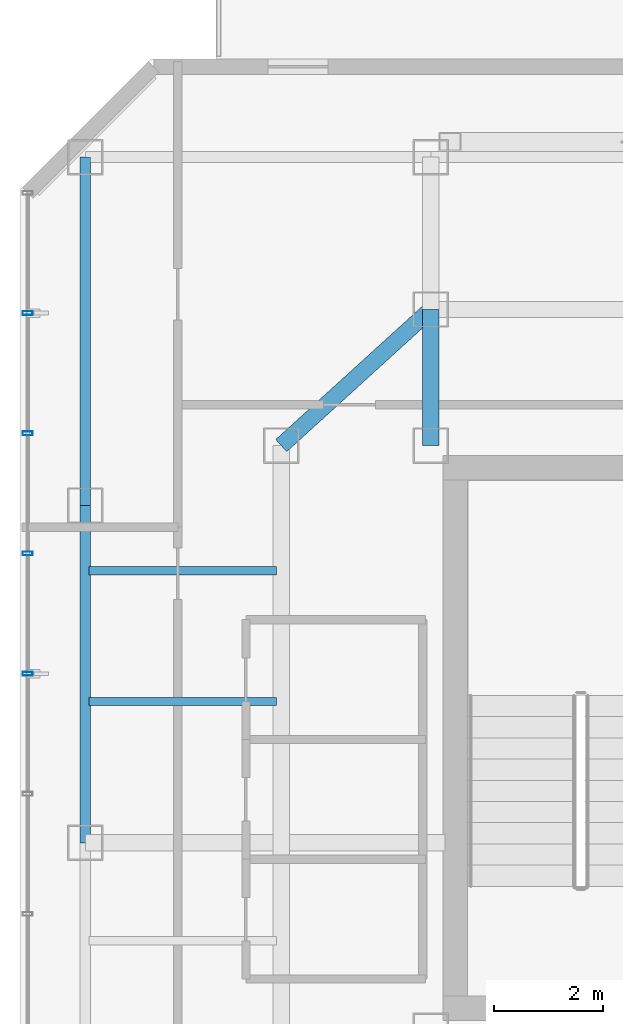
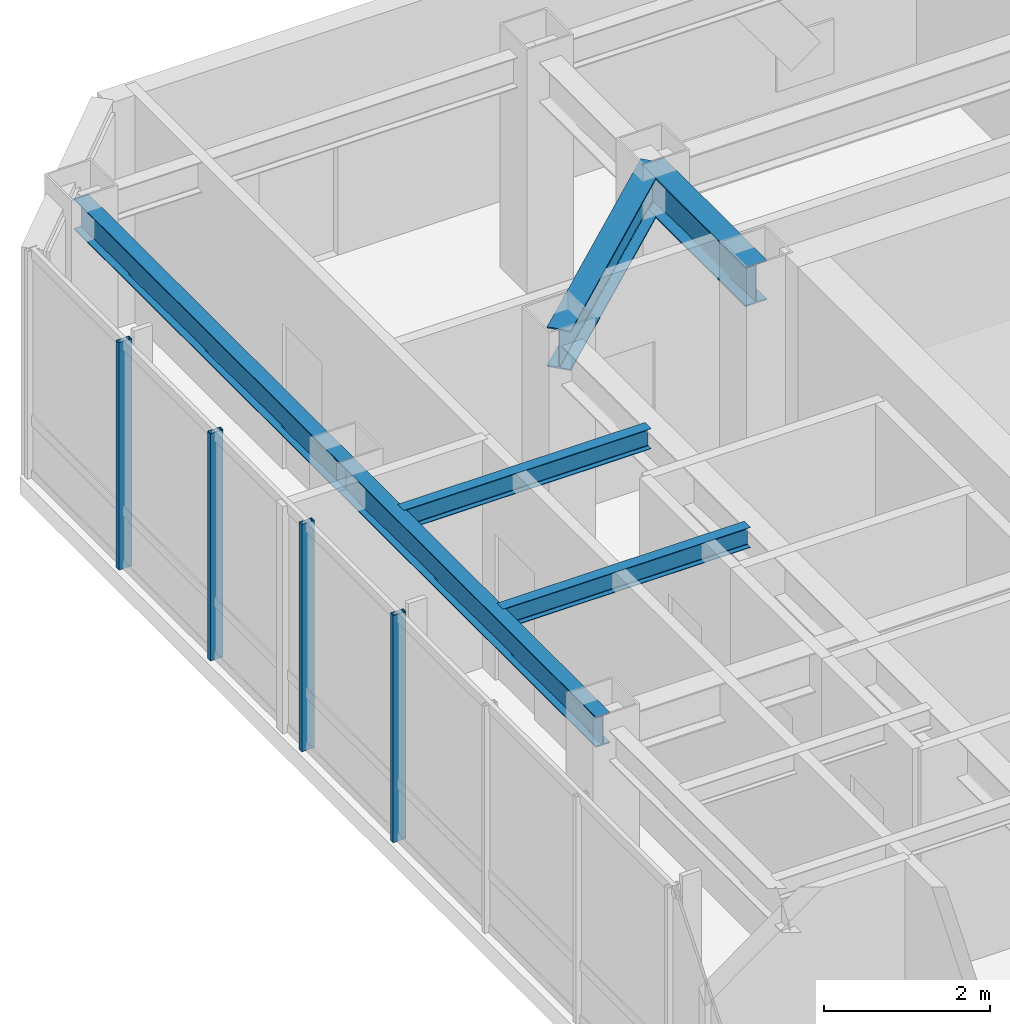
# One storey, part 10 of 22: 6 beams, 4 members, 1 element without a shape of its own.
"""IFC4 building model written with IfcOpenShell, lengths in metres."""

from ifc_helpers import new_model, si_unit, direction, frame, origin, origin_2d, place, context, subcontext, project, spatial, hollow_rectangle, i_section, extrude, material, layer, layer_set, material_profile, profile_set, type_object, element, aggregate, save


model = new_model("IFC4")

# Units and contexts
model_context = context("Model", 3, precision=1e-05, world=origin(), true_north=direction((0.0, 1.0)))
body_context = subcontext(model_context, "Body", "Model", "MODEL_VIEW")
ifc_project = project(units=[si_unit("LENGTHUNIT", "METRE"), si_unit("AREAUNIT", "SQUARE_METRE"), si_unit("VOLUMEUNIT", "CUBIC_METRE"), si_unit("PLANEANGLEUNIT", "RADIAN"), si_unit("MASSUNIT", "GRAM", prefix="KILO")], contexts=[model_context])

# Site, building, storey
site_placement = place(None, origin())
site = spatial("IfcSite", under=ifc_project, at=site_placement, CompositionType="ELEMENT")
building_placement = place(site_placement, origin())
building = spatial("IfcBuilding", under=site, at=building_placement, Name="Hatsunagi Terrace Concourse", CompositionType="ELEMENT")
storey_placement = place(building_placement, frame((0.0, 0.0, 243.14990234375)))
storey = spatial("IfcBuildingStorey", under=building, at=storey_placement, Name="L64", CompositionType="ELEMENT", Elevation=243.14990234375)

# Curtain wall, members
ifc_material_1 = material(Name="Anodised Aluminium Alloy 6063-T5", Category="aluminium")
ifc_layer = layer(ifc_material_1, 0.199951171875)
ifc_layer_set = layer_set([ifc_layer], Name="OfficeZone2_CW04")
curtain_wall_type = type_object("IfcCurtainWallType", Name="OfficeZone2_CW04", PredefinedType="NOTDEFINED", material=ifc_layer_set)
curtain_wall_placement = place(storey_placement, origin())
curtain_wall = element("IfcCurtainWall", 1, at=curtain_wall_placement, inside=storey, type_object=curtain_wall_type, Name="Unitised Curtain Wall CW-04 CW-L64-08", PredefinedType="NOTDEFINED")
ifc_material_2 = material(Name="Anodised Aluminium Alloy 6063-T5", Category="aluminium")
ifc_material_profile_1 = material_profile(ifc_material_2, hollow_rectangle(XDim=0.070068359375, YDim=0.179931640625, WallThickness=0.00390625, at=origin_2d()), Name="ALU-MUL-180x70x4")
ifc_profile_set_1 = profile_set([ifc_material_profile_1], Name="Anodised Aluminium Alloy 6063-T5")
member_type = type_object("IfcMemberType", Name="CurtainWallMullion_180x70", PredefinedType="MULLION", material=ifc_profile_set_1)
member_1_placement = place(storey_placement, frame((18.139892578125, 39.10791015625, 0.0), z_axis=(0.0, 0.0, 1.0), x_axis=(0.0, 1.0, 0.0)))
member_1 = element("IfcMember", 2, at=member_1_placement, type_object=member_type, Name="Curtain Wall Mullion MUL-02", PredefinedType="MULLION", context=body_context, shape_type="SweptSolid", body=[
    extrude(hollow_rectangle(XDim=0.070068359375, YDim=0.179931640625, WallThickness=0.00390625, at=origin_2d()), origin(), (0.0, 0.0, 1.0), 3.35009765625),
])
member_2_placement = place(storey_placement, frame((18.139892578125, 41.31689453125, 0.0), z_axis=(0.0, 0.0, 1.0), x_axis=(0.0, 1.0, 0.0)))
member_2 = element("IfcMember", 3, at=member_2_placement, type_object=member_type, Name="Curtain Wall Mullion MUL-02", PredefinedType="MULLION", context=body_context, shape_type="SweptSolid", body=[
    extrude(hollow_rectangle(XDim=0.070068359375, YDim=0.179931640625, WallThickness=0.00390625, at=origin_2d()), origin(), (0.0, 0.0, 1.0), 3.35009765625),
])
member_3_placement = place(storey_placement, frame((18.139892578125, 43.52490234375, 0.0), z_axis=(0.0, 0.0, 1.0), x_axis=(0.0, 1.0, 0.0)))
member_3 = element("IfcMember", 4, at=member_3_placement, type_object=member_type, Name="Curtain Wall Mullion MUL-02", PredefinedType="MULLION", context=body_context, shape_type="SweptSolid", body=[
    extrude(hollow_rectangle(XDim=0.070068359375, YDim=0.179931640625, WallThickness=0.00390625, at=origin_2d()), origin(), (0.0, 0.0, 1.0), 3.35009765625),
])
member_4_placement = place(storey_placement, frame((18.139892578125, 45.73388671875, 0.0), z_axis=(0.0, 0.0, 1.0), x_axis=(0.0, 1.0, 0.0)))
member_4 = element("IfcMember", 5, at=member_4_placement, type_object=member_type, Name="Curtain Wall Mullion MUL-02", PredefinedType="MULLION", context=body_context, shape_type="SweptSolid", body=[
    extrude(hollow_rectangle(XDim=0.070068359375, YDim=0.179931640625, WallThickness=0.00390625, at=origin_2d()), origin(), (0.0, 0.0, 1.0), 3.35009765625),
])
aggregate(curtain_wall, [member_1, member_2, member_3, member_4])

# Beams
ifc_material_3 = material(Name="Steel SN490B", Category="steel")
ifc_material_profile_2 = material_profile(ifc_material_3, i_section(OverallWidth=0.300048828125, OverallDepth=0.587890625, WebThickness=0.011962890625, FlangeThickness=0.02001953125, FilletRadius=0.01806640625, at=origin_2d()), Name="H-588x300x12x20")
ifc_profile_set_2 = profile_set([ifc_material_profile_2], Name="Steel SN490B")
beam_type_1 = type_object("IfcBeamType", Name="OfficeHighGirder_H_588x300", PredefinedType="BEAM", material=ifc_profile_set_2)
beam_1_placement = place(storey_placement, frame((25.550048828125, 43.300048828125, 3.05615234375), z_axis=(0.0, 1.0, 0.0), x_axis=(-1.0, 0.0, 0.0)))
element("IfcBeam", 6, at=beam_1_placement, inside=storey, type_object=beam_type_1, Name="Beam G-06 BM-L64-CN1", PredefinedType="BEAM", context=body_context, shape_type="SweptSolid", body=[
    extrude(i_section(OverallWidth=0.300048828125, OverallDepth=0.587890625, WebThickness=0.011962890625, FlangeThickness=0.02001953125, FilletRadius=0.01806640625, at=origin_2d()), origin(), (0.0, 0.0, 1.0), 2.5),
])
beam_2_placement = place(storey_placement, frame((22.800048828125, 43.300048828125, 3.05615234375), z_axis=(0.739940073396, 0.672672793996, 0.0), x_axis=(-0.672672793996, 0.739940073396, 0.0)))
element("IfcBeam", 7, at=beam_2_placement, inside=storey, type_object=beam_type_1, Name="Beam G-06 BM-L64-CWEW-N", PredefinedType="BEAM", context=body_context, shape_type="SweptSolid", body=[
    extrude(i_section(OverallWidth=0.300048828125, OverallDepth=0.587890625, WebThickness=0.011962890625, FlangeThickness=0.02001953125, FilletRadius=0.01806640625, at=origin_2d()), origin(), (0.0, 0.0, 1.0), 3.716552734375),
])
ifc_material_4 = material(Name="Steel SN490B", Category="steel")
ifc_material_profile_3 = material_profile(ifc_material_4, i_section(OverallWidth=0.14990234375, OverallDepth=0.300048828125, WebThickness=0.006591796875, FlangeThickness=0.009033203125, FilletRadius=0.010986328125, at=origin_2d()), Name="H-300x150x6.5x9")
ifc_profile_set_3 = profile_set([ifc_material_profile_3], Name="Steel SN490B")
beam_type_2 = type_object("IfcBeamType", Name="OfficeJoist_H_300x150", PredefinedType="JOIST", material=ifc_profile_set_3)
for number, where, z_axis, x_axis, name in (
    (8, (19.264892578125, 38.60009765625, 3.2001953125), (1.0, 0.0, 0.0), (0.0, 1.0, 0.0), "Beam J-03 J-L64-W-19-386"),
    (9, (19.264892578125, 41.0, 3.2001953125), (1.0, 0.0, 0.0), (0.0, 1.0, 0.0), "Beam J-03 J-L64-W-19-410"),
):
    element("IfcBeam", number, at=place(storey_placement, frame(where, z_axis=z_axis, x_axis=x_axis)), inside=storey, type_object=beam_type_2, Name=name, PredefinedType="JOIST", context=body_context, shape_type="SweptSolid", body=[
        extrude(i_section(OverallWidth=0.14990234375, OverallDepth=0.300048828125, WebThickness=0.006591796875, FlangeThickness=0.009033203125, FilletRadius=0.010986328125, at=origin_2d()), origin(), (0.0, 0.0, 1.0), 3.4501953125),
    ])
ifc_material_5 = material(Name="Steel SN490B", Category="steel")
ifc_material_profile_4 = material_profile(ifc_material_5, i_section(OverallWidth=0.199951171875, OverallDepth=0.449951171875, WebThickness=0.009033203125, FlangeThickness=0.013916015625, FilletRadius=0.01611328125, at=origin_2d()), Name="H-450x200x9x14")
ifc_profile_set_4 = profile_set([ifc_material_profile_4], Name="Steel SN490B")
beam_type_3 = type_object("IfcBeamType", Name="PerimeterSpandrel_H_450x200", PredefinedType="SPANDREL", material=ifc_profile_set_4)
beam_3_placement = place(storey_placement, frame((19.199951171875, 36.0, 3.125), z_axis=(0.0, 1.0, 0.0), x_axis=(-1.0, 0.0, 0.0)))
element("IfcBeam", 10, at=beam_3_placement, inside=storey, type_object=beam_type_3, Name="Beam SP-02 BM-L64-NS-19-36", PredefinedType="SPANDREL", context=body_context, shape_type="SweptSolid", body=[
    extrude(i_section(OverallWidth=0.199951171875, OverallDepth=0.449951171875, WebThickness=0.009033203125, FlangeThickness=0.013916015625, FilletRadius=0.01611328125, at=origin_2d()), origin(), (0.0, 0.0, 1.0), 6.199951171875),
])
beam_4_placement = place(storey_placement, frame((19.199951171875, 42.199951171875, 3.125), z_axis=(0.0, 1.0, 0.0), x_axis=(-1.0, 0.0, 0.0)))
element("IfcBeam", 11, at=beam_4_placement, inside=storey, type_object=beam_type_3, Name="Beam SP-02 BM-L64-NS-19-42", PredefinedType="SPANDREL", context=body_context, shape_type="SweptSolid", body=[
    extrude(i_section(OverallWidth=0.199951171875, OverallDepth=0.449951171875, WebThickness=0.009033203125, FlangeThickness=0.013916015625, FilletRadius=0.01611328125, at=origin_2d()), origin(), (0.0, 0.0, 1.0), 6.400146484375),
])

save(model, "model.ifc")
